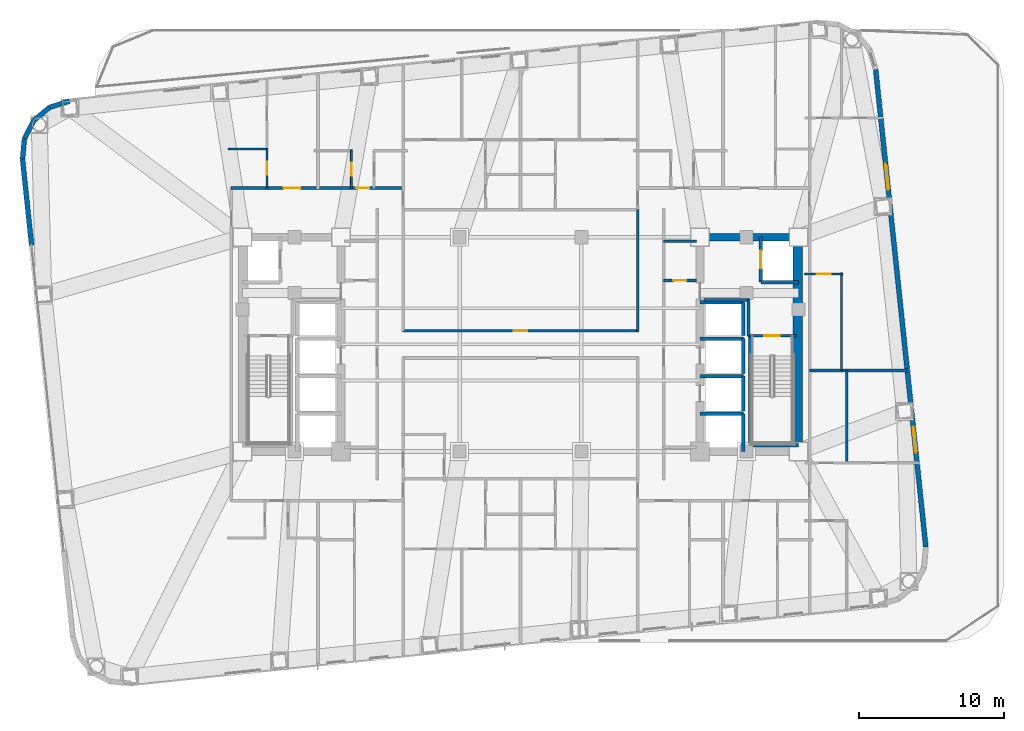
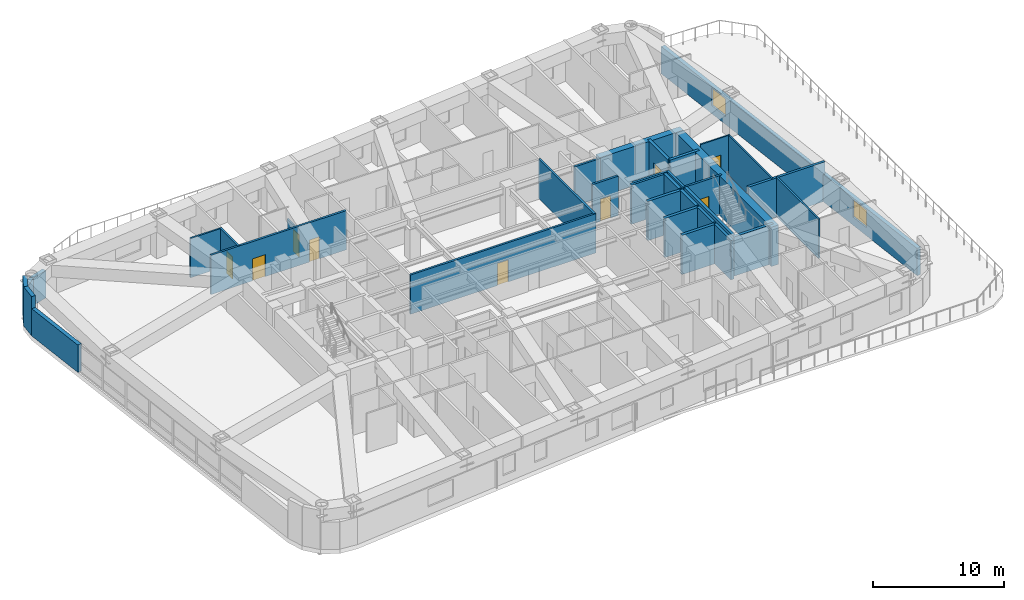
# One storey, part 10 of 15: 35 walls, 9 doors, 2 windows, 11 openings.
"""IFC4 building model written with IfcOpenShell, lengths in metres."""

from ifc_helpers import new_model, si_unit, direction, frame, frame_2d, origin, place, context, subcontext, project, spatial, rectangle, extrude, material, layer, layer_set, type_object, element, fill, save


model = new_model("IFC4")

# Units and contexts
model_context = context("Model", 3, precision=1e-05, world=origin(), true_north=direction((0.0, 1.0)))
body_context = subcontext(model_context, "Body", "Model", "MODEL_VIEW")
ifc_project = project(units=[si_unit("LENGTHUNIT", "METRE"), si_unit("AREAUNIT", "SQUARE_METRE"), si_unit("VOLUMEUNIT", "CUBIC_METRE"), si_unit("PLANEANGLEUNIT", "RADIAN"), si_unit("MASSUNIT", "GRAM", prefix="KILO")], contexts=[model_context])

# Site, building, storey
site_placement = place(None, origin())
site = spatial("IfcSite", under=ifc_project, at=site_placement, CompositionType="ELEMENT")
building_placement = place(site_placement, origin())
building = spatial("IfcBuilding", under=site, at=building_placement, Name="Voryun Gate Residences", CompositionType="ELEMENT")
storey_placement = place(building_placement, frame((0.0, 0.0, 140.39990234375)))
storey = spatial("IfcBuildingStorey", under=building, at=storey_placement, Name="L34", CompositionType="ELEMENT", Elevation=140.39990234375)

# Walls
ifc_material_1 = material(Name="Concrete C60/75", Category="concrete")
ifc_layer_1 = layer(ifc_material_1, 0.550048828125, Name="CW_CORE_550")
ifc_layer_set_1 = layer_set([ifc_layer_1], Name="Concrete C60/75")
wall_type_1 = type_object("IfcWallType", Name="CW_CORE_550", PredefinedType="SHEAR", material=ifc_layer_set_1)
wall_1_placement = place(storey_placement, frame((12.125, 7.39990234375, 0.0), z_axis=(0.0, 0.0, 1.0), x_axis=(1.0, 0.0, 0.0)))
element("IfcWall", 1, at=wall_1_placement, inside=storey, type_object=wall_type_1, Name="L34 Core shear wall CW-L34-EN", PredefinedType="SHEAR", context=body_context, shape_type="SweptSolid", body=[
    extrude(rectangle(XDim=7.35009765625, YDim=0.550048828125, at=frame_2d((3.675048828125, 0.0))), origin(), (0.0, 0.0, 1.0), 3.650146484375),
])
ifc_material_2 = material(Name="Concrete C60/75", Category="concrete")
ifc_layer_2 = layer(ifc_material_2, 0.64990234375, Name="CW_CORE_650")
ifc_layer_set_2 = layer_set([ifc_layer_2], Name="Concrete C60/75")
wall_type_2 = type_object("IfcWallType", Name="CW_CORE_650", PredefinedType="SHEAR", material=ifc_layer_set_2)
wall_2_placement = place(storey_placement, frame((19.14501953125, -7.39990234375, 0.0), z_axis=(0.0, 0.0, 1.0), x_axis=(0.0, 1.0, 0.0)))
element("IfcWall", 2, at=wall_2_placement, inside=storey, type_object=wall_type_2, Name="L34 Core shear wall CW-L34-EE", PredefinedType="SHEAR", context=body_context, shape_type="SweptSolid", body=[
    extrude(rectangle(XDim=14.7998046875, YDim=0.64990234375, at=frame_2d((7.39990234375, 0.0))), origin(), (0.0, 0.0, 1.0), 3.650146484375),
])

# Wall, opening, door
ifc_material_3 = material(Name="Gypsum acoustic fireboard")
ifc_layer_3 = layer(ifc_material_3, 0.179931640625, Name="W_CORR_RATED_180")
ifc_layer_set_3 = layer_set([ifc_layer_3], Name="Gypsum acoustic fireboard")
wall_type_3 = type_object("IfcWallType", Name="W_CORR_RATED_180", PredefinedType="PARTITIONING", material=ifc_layer_set_3)
wall_3_placement = place(storey_placement, frame((15.699951171875, 0.60009765625, 0.0), z_axis=(0.0, 0.0, 1.0), x_axis=(1.0, 0.0, 0.0)))
wall_3 = element("IfcWall", 3, at=wall_3_placement, inside=storey, type_object=wall_type_3, Name="Partition wall WP-L34-STV-E", PredefinedType="PARTITIONING", context=body_context, shape_type="SweptSolid", body=[
    extrude(rectangle(XDim=3.360107421875, YDim=0.179931640625, at=frame_2d((1.68017578125, 0.0))), origin(), (0.0, 0.0, 1.0), 3.650146484375),
])
opening_1_placement = place(wall_3_placement, frame((1.155029296875, 0.0, 0.0)))
opening_1 = element("IfcOpeningElement", 4, at=opening_1_placement, cuts=wall_3, Name="Opening D-FD60-1", PredefinedType="OPENING", context=body_context, shape_type="SweptSolid", body=[
    extrude(rectangle(XDim=1.050048828125, YDim=2.050048828125, at=frame_2d((0.52490234375, 1.02490234375))), frame((0.0, 0.099853515625, 0.0), z_axis=(0.0, -1.0, 0.0), x_axis=(1.0, 0.0, 0.0)), (0.0, 0.0, 1.0), 0.199951171875),
])
ifc_material_4 = material(Name="Painted steel fire door", Category="steel")
door_type_1 = type_object("IfcDoorType", Name="DR_FD60_STAIR_1050", OperationType="NOTDEFINED", PredefinedType="DOOR", material=ifc_material_4)
door_1_placement = place(opening_1_placement, origin())
door_1 = element("IfcDoor", 5, at=door_1_placement, inside=storey, type_object=door_type_1, Name="Door DR-L34-ST-E", OperationType="SINGLE_SWING_RIGHT", OverallHeight=2.050048828125, OverallWidth=1.050048828125, PredefinedType="DOOR", context=body_context, shape_type="SweptSolid", body=[
    extrude(rectangle(XDim=1.050048828125, YDim=2.050048828125, at=frame_2d((0.52490234375, 1.02490234375))), frame((0.0, 0.02490234375, 0.0), z_axis=(0.0, -1.0, 0.0), x_axis=(1.0, 0.0, 0.0)), (0.0, 0.0, 1.0), 0.050048828125),
])
fill(opening_1, door_1)

# Wall
wall_4_placement = place(storey_placement, frame((9.8798828125, 7.1201171875, 0.0), z_axis=(0.0, 0.0, 1.0), x_axis=(1.0, 0.0, 0.0)))
element("IfcWall", 6, at=wall_4_placement, inside=storey, type_object=wall_type_3, Name="Partition wall WP-L34-PLBN-E", PredefinedType="PARTITIONING", context=body_context, shape_type="SweptSolid", body=[
    extrude(rectangle(XDim=2.27001953125, YDim=0.179931640625, at=frame_2d((1.135009765625, 0.0))), origin(), (0.0, 0.0, 1.0), 3.650146484375),
])

# Wall, opening, door
wall_5_placement = place(storey_placement, frame((-8.14990234375, 0.93994140625, 0.0), z_axis=(0.0, 0.0, 1.0), x_axis=(1.0, 0.0, 0.0)))
wall_5 = element("IfcWall", 7, at=wall_5_placement, inside=storey, type_object=wall_type_3, Name="Partition wall WP-L34-Z2HN", PredefinedType="PARTITIONING", context=body_context, shape_type="SweptSolid", body=[
    extrude(rectangle(XDim=16.2998046875, YDim=0.179931640625, at=frame_2d((8.14990234375, 0.0))), origin(), (0.0, 0.0, 1.0), 3.650146484375),
])
opening_2_placement = place(wall_5_placement, frame((7.675048828125, 0.0, 0.0)))
opening_2 = element("IfcOpeningElement", 8, at=opening_2_placement, cuts=wall_5, Name="Opening D-INT-1", PredefinedType="OPENING", context=body_context, shape_type="SweptSolid", body=[
    extrude(rectangle(XDim=0.949951171875, YDim=2.050048828125, at=frame_2d((0.47509765625, 1.02490234375))), frame((0.0, 0.099853515625, 0.0), z_axis=(0.0, -1.0, 0.0), x_axis=(1.0, 0.0, 0.0)), (0.0, 0.0, 1.0), 0.199951171875),
])
ifc_material_5 = material(Name="Architectural oak veneer")
door_type_2 = type_object("IfcDoorType", Name="DR_INT_ROOM_950", OperationType="NOTDEFINED", PredefinedType="DOOR", material=ifc_material_5)
door_2_placement = place(opening_2_placement, origin())
door_2 = element("IfcDoor", 9, at=door_2_placement, inside=storey, type_object=door_type_2, Name="Door DR-L34-Z2NH", OperationType="SINGLE_SWING_LEFT", OverallHeight=2.050048828125, OverallWidth=0.949951171875, PredefinedType="DOOR", context=body_context, shape_type="SweptSolid", body=[
    extrude(rectangle(XDim=0.949951171875, YDim=2.050048828125, at=frame_2d((0.47509765625, 1.02490234375))), frame((0.0, 0.02490234375, 0.0), z_axis=(0.0, -1.0, 0.0), x_axis=(1.0, 0.0, 0.0)), (0.0, 0.0, 1.0), 0.050048828125),
])
fill(opening_2, door_2)

# Wall
wall_6_placement = place(storey_placement, frame((8.10009765625, 0.919921875, 0.0), z_axis=(0.0, 0.0, 1.0), x_axis=(0.0, 1.0, 0.0)))
element("IfcWall", 10, at=wall_6_placement, inside=storey, type_object=wall_type_3, Name="Partition wall WP-L34-Z2ER1", PredefinedType="PARTITIONING", context=body_context, shape_type="SweptSolid", body=[
    extrude(rectangle(XDim=8.41015625, YDim=0.179931640625, at=frame_2d((4.205078125, 0.0))), origin(), (0.0, 0.0, 1.0), 3.650146484375),
])

# Wall, openings, doors
wall_7_placement = place(storey_placement, frame((-20.0, 10.800048828125, 0.0), z_axis=(0.0, 0.0, 1.0), x_axis=(1.0, 0.0, 0.0)))
wall_7 = element("IfcWall", 11, at=wall_7_placement, inside=storey, type_object=wall_type_3, Name="Partition wall WP-L34-NCORR-W", PredefinedType="PARTITIONING", context=body_context, shape_type="SweptSolid", body=[
    extrude(rectangle(XDim=11.919921875, YDim=0.179931640625, at=frame_2d((5.9599609375, 0.0))), origin(), (0.0, 0.0, 1.0), 3.650146484375),
])
opening_3_placement = place(wall_7_placement, frame((3.639892578125, 0.0, 0.0)))
opening_3 = element("IfcOpeningElement", 12, at=opening_3_placement, cuts=wall_7, Name="Opening D-UNIT-1", PredefinedType="OPENING", context=body_context, shape_type="SweptSolid", body=[
    extrude(rectangle(XDim=1.14990234375, YDim=2.050048828125, at=frame_2d((0.574951171875, 1.02490234375))), frame((0.0, 0.099853515625, 0.0), z_axis=(0.0, -1.0, 0.0), x_axis=(1.0, 0.0, 0.0)), (0.0, 0.0, 1.0), 0.199951171875),
])
opening_4_placement = place(wall_7_placement, frame((8.65576171875, 0.0, 0.0)))
opening_4 = element("IfcOpeningElement", 13, at=opening_4_placement, cuts=wall_7, Name="Opening D-INT-2", PredefinedType="OPENING", context=body_context, shape_type="SweptSolid", body=[
    extrude(rectangle(XDim=0.89990234375, YDim=2.050048828125, at=frame_2d((0.449951171875, 1.02490234375))), frame((0.0, 0.099853515625, 0.0), z_axis=(0.0, -1.0, 0.0), x_axis=(1.0, 0.0, 0.0)), (0.0, 0.0, 1.0), 0.199951171875),
])
ifc_material_6 = material(Name="Architectural oak veneer")
door_type_3 = type_object("IfcDoorType", Name="DR_INT_BATH_900", OperationType="NOTDEFINED", PredefinedType="DOOR", material=ifc_material_6)
door_3_placement = place(opening_4_placement, origin())
door_3 = element("IfcDoor", 14, at=door_3_placement, inside=storey, type_object=door_type_3, Name="Door DR-L34-NENT-2", OperationType="SINGLE_SWING_RIGHT", OverallHeight=2.050048828125, OverallWidth=0.89990234375, PredefinedType="DOOR", context=body_context, shape_type="SweptSolid", body=[
    extrude(rectangle(XDim=0.89990234375, YDim=2.050048828125, at=frame_2d((0.449951171875, 1.02490234375))), frame((0.0, 0.02490234375, 0.0), z_axis=(0.0, -1.0, 0.0), x_axis=(1.0, 0.0, 0.0)), (0.0, 0.0, 1.0), 0.050048828125),
])
fill(opening_4, door_3)
ifc_material_7 = material(Name="Armoured timber-clad fire door", Category="wood")
door_type_4 = type_object("IfcDoorType", Name="DR_UNIT_ENTRY_1150", OperationType="NOTDEFINED", PredefinedType="DOOR", material=ifc_material_7)
door_4_placement = place(opening_3_placement, origin())
door_4 = element("IfcDoor", 15, at=door_4_placement, inside=storey, type_object=door_type_4, Name="Door DR-L34-NENT-1", OperationType="SINGLE_SWING_LEFT", OverallHeight=2.050048828125, OverallWidth=1.14990234375, PredefinedType="DOOR", context=body_context, shape_type="SweptSolid", body=[
    extrude(rectangle(XDim=1.14990234375, YDim=2.050048828125, at=frame_2d((0.574951171875, 1.02490234375))), frame((0.0, 0.02490234375, 0.0), z_axis=(0.0, -1.0, 0.0), x_axis=(1.0, 0.0, 0.0)), (0.0, 0.0, 1.0), 0.050048828125),
])
fill(opening_3, door_4)

# Walls
ifc_material_8 = material(Name="Charcoal terracotta masonry", Category="masonry")
ifc_layer_4 = layer(ifc_material_8, 0.340087890625, Name="W_EXT_TERRACOTTA_340")
ifc_layer_set_4 = layer_set([ifc_layer_4], Name="Charcoal terracotta masonry")
wall_type_4 = type_object("IfcWallType", Name="W_EXT_TERRACOTTA_340", PredefinedType="ELEMENTEDWALL", material=ifc_layer_set_4)
wall_8_placement = place(storey_placement, frame((-33.777099609375, 6.85791015625, 0.0), z_axis=(0.0, 0.0, 1.0), x_axis=(-0.104527253976, 0.994522022469, 0.0)))
element("IfcWall", 16, at=wall_8_placement, inside=storey, type_object=wall_type_4, Name="Exterior wall WEXT-L34-06B", PredefinedType="ELEMENTEDWALL", context=body_context, shape_type="SweptSolid", body=[
    extrude(rectangle(XDim=5.969970703125, YDim=0.340087890625, at=frame_2d((2.98486328125, 0.0))), origin(), (0.0, 0.0, 1.0), 2.5400390625),
])
wall_9_placement = place(storey_placement, frame((-34.401123046875, 12.795166015625, 0.0), z_axis=(0.0, 0.0, 1.0), x_axis=(0.091534682358, 0.995801888894, 0.0)))
element("IfcWall", 17, at=wall_9_placement, inside=storey, type_object=wall_type_4, Name="Exterior wall WEXT-L34-07", PredefinedType="ELEMENTEDWALL", context=body_context, shape_type="SweptSolid", body=[
    extrude(rectangle(XDim=1.432373046875, YDim=0.340087890625, at=frame_2d((0.71630859375, 0.0))), origin(), (0.0, 0.0, 1.0), 3.650146484375),
])
wall_10_placement = place(storey_placement, frame((-34.27001953125, 14.221435546875, 0.0), z_axis=(0.0, 0.0, 1.0), x_axis=(0.465682431293, 0.884951904447, 0.0)))
element("IfcWall", 18, at=wall_10_placement, inside=storey, type_object=wall_type_4, Name="Exterior wall WEXT-L34-08", PredefinedType="ELEMENTEDWALL", context=body_context, shape_type="SweptSolid", body=[
    extrude(rectangle(XDim=1.4150390625, YDim=0.340087890625, at=frame_2d((0.70751953125, 0.0))), origin(), (0.0, 0.0, 1.0), 3.650146484375),
])
wall_11_placement = place(storey_placement, frame((-33.611083984375, 15.4736328125, 0.0), z_axis=(0.0, 0.0, 1.0), x_axis=(0.768843196093, 0.639437361921, 0.0)))
element("IfcWall", 19, at=wall_11_placement, inside=storey, type_object=wall_type_4, Name="Exterior wall WEXT-L34-09", PredefinedType="ELEMENTEDWALL", context=body_context, shape_type="SweptSolid", body=[
    extrude(rectangle(XDim=1.4150390625, YDim=0.340087890625, at=frame_2d((0.70751953125, 0.0))), origin(), (0.0, 0.0, 1.0), 2.5400390625),
])
wall_12_placement = place(storey_placement, frame((-32.523193359375, 16.37841796875, 0.0), z_axis=(0.0, 0.0, 1.0), x_axis=(0.9549942197, 0.296624409546, 0.0)))
element("IfcWall", 20, at=wall_12_placement, inside=storey, type_object=wall_type_4, Name="Exterior wall WEXT-L34-10", PredefinedType="ELEMENTEDWALL", context=body_context, shape_type="SweptSolid", body=[
    extrude(rectangle(XDim=1.43212890625, YDim=0.340087890625, at=frame_2d((0.716064453125, 0.0))), origin(), (0.0, 0.0, 1.0), 2.5400390625),
])

# Wall, openings, windows
wall_13_placement = place(storey_placement, frame((24.5341796875, 18.989501953125, 0.0), z_axis=(0.0, 0.0, 1.0), x_axis=(0.104534959766, -0.994521212537, 0.0)))
wall_13 = element("IfcWall", 21, at=wall_13_placement, inside=storey, type_object=wall_type_4, Name="Exterior wall WEXT-L34-16", PredefinedType="ELEMENTEDWALL", context=body_context, shape_type="SweptSolid", body=[
    extrude(rectangle(XDim=33.166259765625, YDim=0.340087890625, at=frame_2d((16.5830078125, 0.0))), origin(), (0.0, 0.0, 1.0), 2.5400390625),
])
opening_5_placement = place(wall_13_placement, frame((6.54150390625, 0.0, 0.75)))
opening_5 = element("IfcOpeningElement", 22, at=opening_5_placement, cuts=wall_13, Name="Opening WN1", PredefinedType="OPENING", context=body_context, shape_type="SweptSolid", body=[
    extrude(rectangle(XDim=1.800048828125, YDim=1.6298828125, at=frame_2d((0.89990234375, 0.81494140625))), frame((0.0, 0.179931640625, 0.0), z_axis=(0.0, -1.0, 0.0), x_axis=(1.0, 0.0, 0.0)), (0.0, 0.0, 1.0), 0.360107421875),
])
opening_6_placement = place(wall_13_placement, frame((24.824951171875, 0.0, 0.75)))
opening_6 = element("IfcOpeningElement", 23, at=opening_6_placement, cuts=wall_13, Name="Opening WN1", PredefinedType="OPENING", context=body_context, shape_type="SweptSolid", body=[
    extrude(rectangle(XDim=1.800048828125, YDim=1.6298828125, at=frame_2d((0.89990234375, 0.81494140625))), frame((0.0, 0.179931640625, 0.0), z_axis=(0.0, -1.0, 0.0), x_axis=(1.0, 0.0, 0.0)), (0.0, 0.0, 1.0), 0.360107421875),
])
ifc_material_9 = material(Name="Laminated low-E glass", Category="glass")
window_type = type_object("IfcWindowType", Name="WN_RES_PUNCH_1800", PartitioningType="SINGLE_PANEL", PredefinedType="WINDOW", material=ifc_material_9)
window_1_placement = place(opening_5_placement, origin())
window_1 = element("IfcWindow", 24, at=window_1_placement, inside=storey, type_object=window_type, Name="Window WN-WEXT-L34-16-01", OverallHeight=1.6298828125, OverallWidth=1.800048828125, PartitioningType="SINGLE_PANEL", PredefinedType="WINDOW", context=body_context, shape_type="SweptSolid", body=[
    extrude(rectangle(XDim=1.800048828125, YDim=1.6298828125, at=frame_2d((0.89990234375, 0.81494140625))), frame((0.0, 0.030029296875, 0.0), z_axis=(0.0, -1.0, 0.0), x_axis=(1.0, 0.0, 0.0)), (0.0, 0.0, 1.0), 0.06005859375),
])
fill(opening_5, window_1)
window_2_placement = place(opening_6_placement, origin())
window_2 = element("IfcWindow", 25, at=window_2_placement, inside=storey, type_object=window_type, Name="Window WN-WEXT-L34-16-02", OverallHeight=1.6298828125, OverallWidth=1.800048828125, PartitioningType="SINGLE_PANEL", PredefinedType="WINDOW", context=body_context, shape_type="SweptSolid", body=[
    extrude(rectangle(XDim=1.800048828125, YDim=1.6298828125, at=frame_2d((0.89990234375, 0.81494140625))), frame((0.0, 0.030029296875, 0.0), z_axis=(0.0, -1.0, 0.0), x_axis=(1.0, 0.0, 0.0)), (0.0, 0.0, 1.0), 0.06005859375),
])
fill(opening_6, window_2)

# Walls
ifc_material_10 = material(Name="Concrete C40/50", Category="concrete")
ifc_layer_5 = layer(ifc_material_10, 0.199951171875, Name="W_FF_LOBBY_200")
ifc_layer_set_5 = layer_set([ifc_layer_5], Name="Concrete C40/50")
wall_type_5 = type_object("IfcWallType", Name="W_FF_LOBBY_200", PredefinedType="PARTITIONING", material=ifc_layer_set_5)
wall_14_placement = place(storey_placement, frame((15.760009765625, 0.580078125, 0.0), z_axis=(0.0, 0.0, 1.0), x_axis=(0.0, 1.0, 0.0)))
element("IfcWall", 26, at=wall_14_placement, inside=storey, type_object=wall_type_5, Name="Partition wall WP-L34-FFP0-E", PredefinedType="PARTITIONING", context=body_context, shape_type="SweptSolid", body=[
    extrude(rectangle(XDim=2.52001953125, YDim=0.199951171875, at=frame_2d((1.260009765625, 0.0))), origin(), (0.0, 0.0, 1.0), 3.650146484375),
])
wall_15_placement = place(storey_placement, frame((12.659912109375, 3.06005859375, 0.0), z_axis=(0.0, 0.0, 1.0), x_axis=(1.0, 0.0, 0.0)))
element("IfcWall", 27, at=wall_15_placement, inside=storey, type_object=wall_type_5, Name="Partition wall WP-L34-FFPS-E", PredefinedType="PARTITIONING", context=body_context, shape_type="SweptSolid", body=[
    extrude(rectangle(XDim=3.16015625, YDim=0.199951171875, at=frame_2d((1.580078125, 0.0))), origin(), (0.0, 0.0, 1.0), 3.650146484375),
])

# Wall, opening, door
wall_16_placement = place(storey_placement, frame((9.8798828125, 4.409912109375, 0.0), z_axis=(0.0, 0.0, 1.0), x_axis=(1.0, 0.0, 0.0)))
wall_16 = element("IfcWall", 28, at=wall_16_placement, inside=storey, type_object=wall_type_5, Name="Partition wall WP-L34-CSFLKS-E", PredefinedType="PARTITIONING", context=body_context, shape_type="SweptSolid", body=[
    extrude(rectangle(XDim=2.27001953125, YDim=0.199951171875, at=frame_2d((1.135009765625, 0.0))), origin(), (0.0, 0.0, 1.0), 3.650146484375),
])
opening_7_placement = place(wall_16_placement, frame((0.68505859375, 0.0, 0.0)))
opening_7 = element("IfcOpeningElement", 29, at=opening_7_placement, cuts=wall_16, Name="Opening D-FD60-4", PredefinedType="OPENING", context=body_context, shape_type="SweptSolid", body=[
    extrude(rectangle(XDim=0.89990234375, YDim=2.050048828125, at=frame_2d((0.449951171875, 1.02490234375))), frame((0.0, 0.110107421875, 0.0), z_axis=(0.0, -1.0, 0.0), x_axis=(1.0, 0.0, 0.0)), (0.0, 0.0, 1.0), 0.219970703125),
])
ifc_material_11 = material(Name="Painted steel fire door", Category="steel")
door_type_5 = type_object("IfcDoorType", Name="DR_FD60_RISER_900", OperationType="NOTDEFINED", PredefinedType="DOOR", material=ifc_material_11)
door_5_placement = place(opening_7_placement, origin())
door_5 = element("IfcDoor", 30, at=door_5_placement, inside=storey, type_object=door_type_5, Name="Door DR-L34-CSFLK-E", OperationType="SINGLE_SWING_RIGHT", OverallHeight=2.050048828125, OverallWidth=0.89990234375, PredefinedType="DOOR", context=body_context, shape_type="SweptSolid", body=[
    extrude(rectangle(XDim=0.89990234375, YDim=2.050048828125, at=frame_2d((0.449951171875, 1.02490234375))), frame((0.0, 0.02490234375, 0.0), z_axis=(0.0, -1.0, 0.0), x_axis=(1.0, 0.0, 0.0)), (0.0, 0.0, 1.0), 0.050048828125),
])
fill(opening_7, door_5)

# Walls
ifc_material_12 = material(Name="Concrete C40/50", Category="concrete")
ifc_layer_6 = layer(ifc_material_12, 0.219970703125, Name="W_PARTY_ACOUSTIC_220")
ifc_layer_set_6 = layer_set([ifc_layer_6], Name="Concrete C40/50")
wall_type_6 = type_object("IfcWallType", Name="W_PARTY_ACOUSTIC_220", PredefinedType="PARTITIONING", material=ifc_layer_set_6)
wall_17_placement = place(storey_placement, frame((19.969970703125, -1.800048828125, 0.0), z_axis=(0.0, 0.0, 1.0), x_axis=(1.0, 0.0, 0.0)))
element("IfcWall", 31, at=wall_17_placement, inside=storey, type_object=wall_type_6, Name="Partition wall WP-L34-EPTY", PredefinedType="PARTITIONING", context=body_context, shape_type="SweptSolid", body=[
    extrude(rectangle(XDim=6.749267578125, YDim=0.219970703125, at=frame_2d((3.37451171875, 0.0))), origin(), (0.0, 0.0, 1.0), 3.650146484375),
])
ifc_material_13 = material(Name="Concrete C50/60", Category="concrete")
ifc_layer_7 = layer(ifc_material_13, 0.25, Name="W_SHAFT_RC250")
ifc_layer_set_7 = layer_set([ifc_layer_7], Name="Concrete C50/60")
wall_type_7 = type_object("IfcWallType", Name="W_SHAFT_RC250", PredefinedType="SOLIDWALL", material=ifc_layer_set_7)
wall_18_placement = place(storey_placement, frame((15.860107421875, -7.0849609375, 0.0), z_axis=(0.0, 0.0, 1.0), x_axis=(0.0, 1.0, 0.0)))
element("IfcWall", 32, at=wall_18_placement, inside=storey, type_object=wall_type_7, Name="L34 Stair shaft structural wall E-STL", PredefinedType="SOLIDWALL", context=body_context, shape_type="SweptSolid", body=[
    extrude(rectangle(XDim=7.68505859375, YDim=0.25, at=frame_2d((3.842529296875, 0.0))), origin(), (0.0, 0.0, 1.0), 3.650146484375),
])
wall_19_placement = place(storey_placement, frame((15.739990234375, -6.965087890625, 0.0), z_axis=(0.0, 0.0, 1.0), x_axis=(1.0, 0.0, 0.0)))
element("IfcWall", 33, at=wall_19_placement, inside=storey, type_object=wall_type_7, Name="L34 Stair shaft structural wall E-STS", PredefinedType="SOLIDWALL", context=body_context, shape_type="SweptSolid", body=[
    extrude(rectangle(XDim=3.4599609375, YDim=0.25, at=frame_2d((1.72998046875, 0.0))), origin(), (0.0, 0.0, 1.0), 3.650146484375),
])
wall_20_placement = place(storey_placement, frame((16.60009765625, 4.300048828125, 0.0), z_axis=(0.0, 0.0, 1.0), x_axis=(1.0, 0.0, 0.0)))
element("IfcWall", 34, at=wall_20_placement, inside=storey, type_object=wall_type_7, Name="Lift shaft wall WSH-L34-EL-FF-E1-S", PredefinedType="SOLIDWALL", context=body_context, shape_type="SweptSolid", body=[
    extrude(rectangle(XDim=2.599853515625, YDim=0.25, at=frame_2d((1.2998046875, 0.0))), origin(), (0.0, 0.0, 1.0), 3.650146484375),
])

# Wall, opening, door
wall_21_placement = place(storey_placement, frame((16.60009765625, 7.39990234375, 0.0), z_axis=(0.0, 0.0, 1.0), x_axis=(0.0, -1.0, 0.0)))
wall_21 = element("IfcWall", 35, at=wall_21_placement, inside=storey, type_object=wall_type_7, Name="Lift shaft wall WSH-L34-EL-FF-E1-W", PredefinedType="SOLIDWALL", context=body_context, shape_type="SweptSolid", body=[
    extrude(rectangle(XDim=3.099853515625, YDim=0.25, at=frame_2d((1.5498046875, 0.0))), origin(), (0.0, 0.0, 1.0), 3.650146484375),
])
opening_8_placement = place(wall_21_placement, frame((0.949951171875, 0.0, 0.0)))
opening_8 = element("IfcOpeningElement", 36, at=opening_8_placement, cuts=wall_21, Name="Opening LD1", PredefinedType="OPENING", context=body_context, shape_type="SweptSolid", body=[
    extrude(rectangle(XDim=1.199951171875, YDim=2.050048828125, at=frame_2d((0.60009765625, 1.02490234375))), frame((0.0, 0.135009765625, 0.0), z_axis=(0.0, -1.0, 0.0), x_axis=(1.0, 0.0, 0.0)), (0.0, 0.0, 1.0), 0.27001953125),
])
ifc_material_14 = material(Name="Anodised aluminium", Category="aluminium")
door_type_6 = type_object("IfcDoorType", Name="DR_LD_FF_1200", OperationType="NOTDEFINED", PredefinedType="DOOR", material=ifc_material_14)
door_6_placement = place(opening_8_placement, origin())
door_6 = element("IfcDoor", 37, at=door_6_placement, inside=storey, type_object=door_type_6, Name="Lift EL-FF-E1 sliding landing door L34", OperationType="SLIDING_TO_LEFT", OverallHeight=2.050048828125, OverallWidth=1.199951171875, PredefinedType="DOOR", context=body_context, shape_type="SweptSolid", body=[
    extrude(rectangle(XDim=1.199951171875, YDim=2.050048828125, at=frame_2d((0.60009765625, 1.02490234375))), frame((0.0, 0.02490234375, 0.0), z_axis=(0.0, -1.0, 0.0), x_axis=(1.0, 0.0, 0.0)), (0.0, 0.0, 1.0), 0.050048828125),
])
fill(opening_8, door_6)

# Walls
wall_22_placement = place(storey_placement, frame((15.39990234375, -7.39990234375, 0.0), z_axis=(0.0, 0.0, 1.0), x_axis=(0.0, 1.0, 0.0)))
element("IfcWall", 38, at=wall_22_placement, inside=storey, type_object=wall_type_7, Name="Lift shaft wall WSH-L34-EL-P3-E", PredefinedType="SOLIDWALL", context=body_context, shape_type="SweptSolid", body=[
    extrude(rectangle(XDim=2.599853515625, YDim=0.25, at=frame_2d((1.2998046875, 0.0))), origin(), (0.0, 0.0, 1.0), 3.650146484375),
])
wall_23_placement = place(storey_placement, frame((15.39990234375, -4.800048828125, 0.0), z_axis=(0.0, 0.0, 1.0), x_axis=(-1.0, 0.0, 0.0)))
element("IfcWall", 39, at=wall_23_placement, inside=storey, type_object=wall_type_7, Name="Lift shaft wall WSH-L34-EL-P3-N", PredefinedType="SOLIDWALL", context=body_context, shape_type="SweptSolid", body=[
    extrude(rectangle(XDim=3.0, YDim=0.25, at=frame_2d((1.5, 0.0))), origin(), (0.0, 0.0, 1.0), 3.650146484375),
])
wall_24_placement = place(storey_placement, frame((15.39990234375, -4.60009765625, 0.0), z_axis=(0.0, 0.0, 1.0), x_axis=(0.0, 1.0, 0.0)))
element("IfcWall", 40, at=wall_24_placement, inside=storey, type_object=wall_type_7, Name="Lift shaft wall WSH-L34-EL-P5-E", PredefinedType="SOLIDWALL", context=body_context, shape_type="SweptSolid", body=[
    extrude(rectangle(XDim=2.400146484375, YDim=0.25, at=frame_2d((1.2001953125, 0.0))), origin(), (0.0, 0.0, 1.0), 3.650146484375),
])
wall_25_placement = place(storey_placement, frame((15.39990234375, -2.199951171875, 0.0), z_axis=(0.0, 0.0, 1.0), x_axis=(-1.0, 0.0, 0.0)))
element("IfcWall", 41, at=wall_25_placement, inside=storey, type_object=wall_type_7, Name="Lift shaft wall WSH-L34-EL-P5-N", PredefinedType="SOLIDWALL", context=body_context, shape_type="SweptSolid", body=[
    extrude(rectangle(XDim=3.0, YDim=0.25, at=frame_2d((1.5, 0.0))), origin(), (0.0, 0.0, 1.0), 3.650146484375),
])
wall_26_placement = place(storey_placement, frame((15.39990234375, -2.0, 0.0), z_axis=(0.0, 0.0, 1.0), x_axis=(0.0, 1.0, 0.0)))
element("IfcWall", 42, at=wall_26_placement, inside=storey, type_object=wall_type_7, Name="Lift shaft wall WSH-L34-EL-P6-E", PredefinedType="SOLIDWALL", context=body_context, shape_type="SweptSolid", body=[
    extrude(rectangle(XDim=2.39990234375, YDim=0.25, at=frame_2d((1.199951171875, 0.0))), origin(), (0.0, 0.0, 1.0), 3.650146484375),
])
wall_27_placement = place(storey_placement, frame((15.39990234375, 0.39990234375, 0.0), z_axis=(0.0, 0.0, 1.0), x_axis=(-1.0, 0.0, 0.0)))
element("IfcWall", 43, at=wall_27_placement, inside=storey, type_object=wall_type_7, Name="Lift shaft wall WSH-L34-EL-P6-N", PredefinedType="SOLIDWALL", context=body_context, shape_type="SweptSolid", body=[
    extrude(rectangle(XDim=3.0, YDim=0.25, at=frame_2d((1.5, 0.0))), origin(), (0.0, 0.0, 1.0), 3.650146484375),
])
wall_28_placement = place(storey_placement, frame((15.39990234375, 0.60009765625, 0.0), z_axis=(0.0, 0.0, 1.0), x_axis=(0.0, 1.0, 0.0)))
element("IfcWall", 44, at=wall_28_placement, inside=storey, type_object=wall_type_7, Name="Lift shaft wall WSH-L34-EL-P8-E", PredefinedType="SOLIDWALL", context=body_context, shape_type="SweptSolid", body=[
    extrude(rectangle(XDim=2.2998046875, YDim=0.25, at=frame_2d((1.14990234375, 0.0))), origin(), (0.0, 0.0, 1.0), 3.650146484375),
])
wall_29_placement = place(storey_placement, frame((15.39990234375, 2.89990234375, 0.0), z_axis=(0.0, 0.0, 1.0), x_axis=(-1.0, 0.0, 0.0)))
element("IfcWall", 45, at=wall_29_placement, inside=storey, type_object=wall_type_7, Name="Lift shaft wall WSH-L34-EL-P8-N", PredefinedType="SOLIDWALL", context=body_context, shape_type="SweptSolid", body=[
    extrude(rectangle(XDim=3.0, YDim=0.25, at=frame_2d((1.5, 0.0))), origin(), (0.0, 0.0, 1.0), 3.650146484375),
])

# Wall, opening, door
ifc_material_15 = material(Name="Gypsum acoustic partition")
ifc_layer_8 = layer(ifc_material_15, 0.125, Name="W_UNIT_PART_125")
ifc_layer_set_8 = layer_set([ifc_layer_8], Name="Gypsum acoustic partition")
wall_type_8 = type_object("IfcWallType", Name="W_UNIT_PART_125", PredefinedType="PARTITIONING", material=ifc_layer_set_8)
wall_30_placement = place(storey_placement, frame((-11.679931640625, 10.780029296875, 0.0), z_axis=(0.0, 0.0, 1.0), x_axis=(0.0, 1.0, 0.0)))
wall_30 = element("IfcWall", 46, at=wall_30_placement, inside=storey, type_object=wall_type_8, Name="Partition wall WP-L34-N2-CVK", PredefinedType="PARTITIONING", context=body_context, shape_type="SweptSolid", body=[
    extrude(rectangle(XDim=2.64990234375, YDim=0.125, at=frame_2d((1.324951171875, 0.0))), origin(), (0.0, 0.0, 1.0), 2.5400390625),
])
opening_9_placement = place(wall_30_placement, frame((0.875, 0.0, 0.0)))
opening_9 = element("IfcOpeningElement", 47, at=opening_9_placement, cuts=wall_30, Name="Opening D-INT-2", PredefinedType="OPENING", context=body_context, shape_type="SweptSolid", body=[
    extrude(rectangle(XDim=0.89990234375, YDim=2.050048828125, at=frame_2d((0.449951171875, 1.02490234375))), frame((0.0, 0.072509765625, 0.0), z_axis=(0.0, -1.0, 0.0), x_axis=(1.0, 0.0, 0.0)), (0.0, 0.0, 1.0), 0.14501953125),
])
door_7_placement = place(opening_9_placement, origin())
door_7 = element("IfcDoor", 48, at=door_7_placement, inside=storey, type_object=door_type_3, Name="Door DR-L34-N2-DK", OperationType="SINGLE_SWING_LEFT", OverallHeight=2.050048828125, OverallWidth=0.89990234375, PredefinedType="DOOR", context=body_context, shape_type="SweptSolid", body=[
    extrude(rectangle(XDim=0.89990234375, YDim=2.050048828125, at=frame_2d((0.449951171875, 1.02490234375))), frame((0.0, 0.02490234375, 0.0), z_axis=(0.0, -1.0, 0.0), x_axis=(1.0, 0.0, 0.0)), (0.0, 0.0, 1.0), 0.050048828125),
])
fill(opening_9, door_7)

wall_31_placement = place(storey_placement, frame((19.64990234375, 4.860107421875, 0.0), z_axis=(0.0, 0.0, 1.0), x_axis=(1.0, 0.0, 0.0)))
wall_31 = element("IfcWall", 49, at=wall_31_placement, inside=storey, type_object=wall_type_8, Name="Partition wall WP-L34-E2-IKA", PredefinedType="PARTITIONING", context=body_context, shape_type="SweptSolid", body=[
    extrude(rectangle(XDim=2.60009765625, YDim=0.125, at=frame_2d((1.300048828125, 0.0))), origin(), (0.0, 0.0, 1.0), 3.650146484375),
])
opening_10_placement = place(wall_31_placement, frame((0.824951171875, 0.0, 0.0)))
opening_10 = element("IfcOpeningElement", 50, at=opening_10_placement, cuts=wall_31, Name="Opening D-INT-1", PredefinedType="OPENING", context=body_context, shape_type="SweptSolid", body=[
    extrude(rectangle(XDim=0.949951171875, YDim=2.050048828125, at=frame_2d((0.47509765625, 1.02490234375))), frame((0.0, 0.072509765625, 0.0), z_axis=(0.0, -1.0, 0.0), x_axis=(1.0, 0.0, 0.0)), (0.0, 0.0, 1.0), 0.14501953125),
])
door_8_placement = place(opening_10_placement, origin())
door_8 = element("IfcDoor", 51, at=door_8_placement, inside=storey, type_object=door_type_2, Name="Door DR-L34-E2-DK", OperationType="SINGLE_SWING_LEFT", OverallHeight=2.050048828125, OverallWidth=0.949951171875, PredefinedType="DOOR", context=body_context, shape_type="SweptSolid", body=[
    extrude(rectangle(XDim=0.949951171875, YDim=2.050048828125, at=frame_2d((0.47509765625, 1.02490234375))), frame((0.0, 0.02490234375, 0.0), z_axis=(0.0, -1.0, 0.0), x_axis=(1.0, 0.0, 0.0)), (0.0, 0.0, 1.0), 0.050048828125),
])
fill(opening_10, door_8)

# Walls
wall_32_placement = place(storey_placement, frame((22.169921875, -1.780029296875, 0.0), z_axis=(0.0, 0.0, 1.0), x_axis=(0.0, 1.0, 0.0)))
element("IfcWall", 52, at=wall_32_placement, inside=storey, type_object=wall_type_8, Name="Partition wall WP-L34-E2-VTA", PredefinedType="PARTITIONING", context=body_context, shape_type="SweptSolid", body=[
    extrude(rectangle(XDim=6.719970703125, YDim=0.125, at=frame_2d((3.35986328125, 0.0))), origin(), (0.0, 0.0, 1.0), 3.650146484375),
])
ifc_material_16 = material(Name="Gypsum moisture-resistant partition")
ifc_layer_9 = layer(ifc_material_16, 0.14990234375, Name="W_WET_PLUMB_150")
ifc_layer_set_9 = layer_set([ifc_layer_9], Name="Gypsum moisture-resistant partition")
wall_type_9 = type_object("IfcWallType", Name="W_WET_PLUMB_150", PredefinedType="PLUMBINGWALL", material=ifc_layer_set_9)
wall_33_placement = place(storey_placement, frame((-20.219970703125, 13.5, 0.0), z_axis=(0.0, 0.0, 1.0), x_axis=(1.0, 0.0, 0.0)))
element("IfcWall", 53, at=wall_33_placement, inside=storey, type_object=wall_type_9, Name="Partition wall WP-L34-N1-SKB", PredefinedType="PLUMBINGWALL", context=body_context, shape_type="SweptSolid", body=[
    extrude(rectangle(XDim=2.781005859375, YDim=0.14990234375, at=frame_2d((1.390625, 0.0))), origin(), (0.0, 0.0, 1.0), 3.650146484375),
])

# Wall, opening, door
wall_34_placement = place(storey_placement, frame((-17.51904296875, 10.780029296875, 0.0), z_axis=(0.0, 0.0, 1.0), x_axis=(0.0, 1.0, 0.0)))
wall_34 = element("IfcWall", 54, at=wall_34_placement, inside=storey, type_object=wall_type_9, Name="Partition wall WP-L34-N1-SVT1", PredefinedType="PLUMBINGWALL", context=body_context, shape_type="SweptSolid", body=[
    extrude(rectangle(XDim=2.760009765625, YDim=0.14990234375, at=frame_2d((1.3798828125, 0.0))), origin(), (0.0, 0.0, 1.0), 3.650146484375),
])
opening_11_placement = place(wall_34_placement, frame((0.929931640625, 0.0, 0.0)))
opening_11 = element("IfcOpeningElement", 55, at=opening_11_placement, cuts=wall_34, Name="Opening D-INT-2", PredefinedType="OPENING", context=body_context, shape_type="SweptSolid", body=[
    extrude(rectangle(XDim=0.89990234375, YDim=2.050048828125, at=frame_2d((0.449951171875, 1.02490234375))), frame((0.0, 0.0849609375, 0.0), z_axis=(0.0, -1.0, 0.0), x_axis=(1.0, 0.0, 0.0)), (0.0, 0.0, 1.0), 0.169921875),
])
door_9_placement = place(opening_11_placement, origin())
door_9 = element("IfcDoor", 56, at=door_9_placement, inside=storey, type_object=door_type_3, Name="Door DR-L34-N1-DB", OperationType="SINGLE_SWING_LEFT", OverallHeight=2.050048828125, OverallWidth=0.89990234375, PredefinedType="DOOR", context=body_context, shape_type="SweptSolid", body=[
    extrude(rectangle(XDim=0.89990234375, YDim=2.050048828125, at=frame_2d((0.449951171875, 1.02490234375))), frame((0.0, 0.02490234375, 0.0), z_axis=(0.0, -1.0, 0.0), x_axis=(1.0, 0.0, 0.0)), (0.0, 0.0, 1.0), 0.050048828125),
])
fill(opening_11, door_9)

# Wall
wall_35_placement = place(storey_placement, frame((22.5419921875, -8.26806640625, 0.0), z_axis=(0.0, 0.0, 1.0), x_axis=(0.0, 1.0, 0.0)))
element("IfcWall", 57, at=wall_35_placement, inside=storey, type_object=wall_type_9, Name="Partition wall WP-L34-E1-VTB", PredefinedType="PLUMBINGWALL", context=body_context, shape_type="SweptSolid", body=[
    extrude(rectangle(XDim=6.447998046875, YDim=0.14990234375, at=frame_2d((3.22412109375, 0.0))), origin(), (0.0, 0.0, 1.0), 3.650146484375),
])

save(model, "model.ifc")
